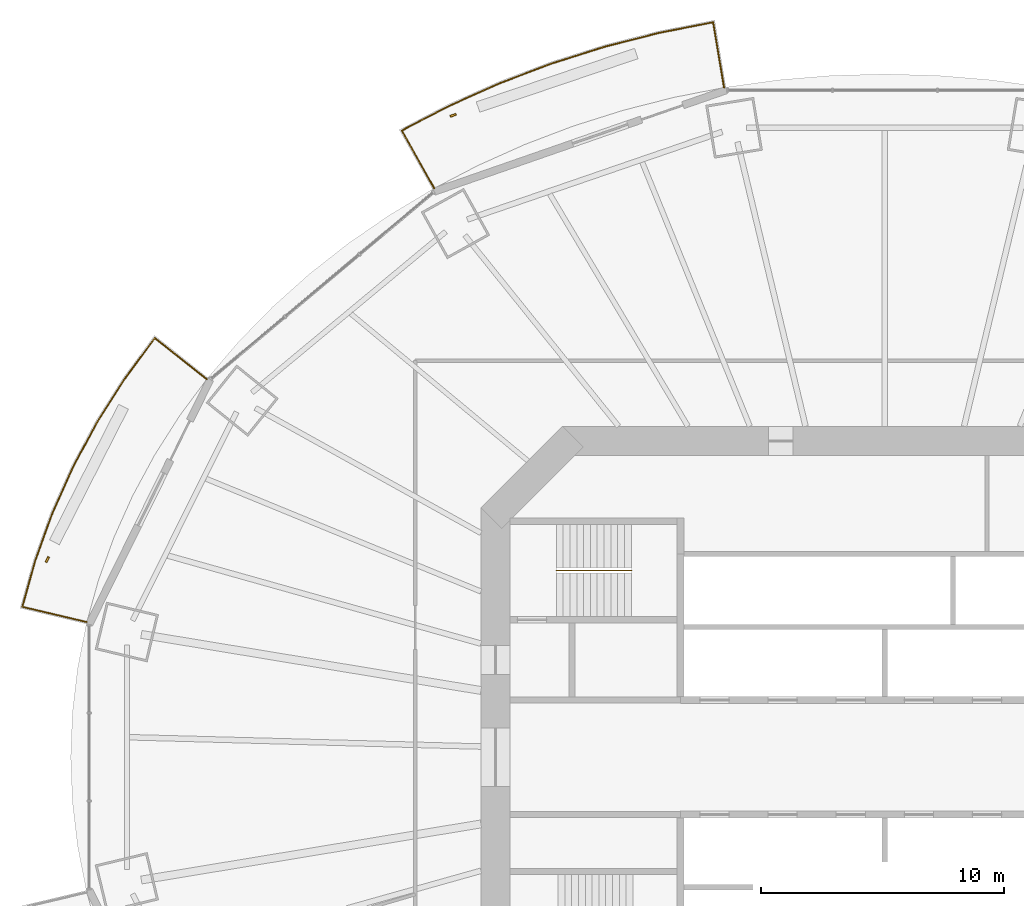
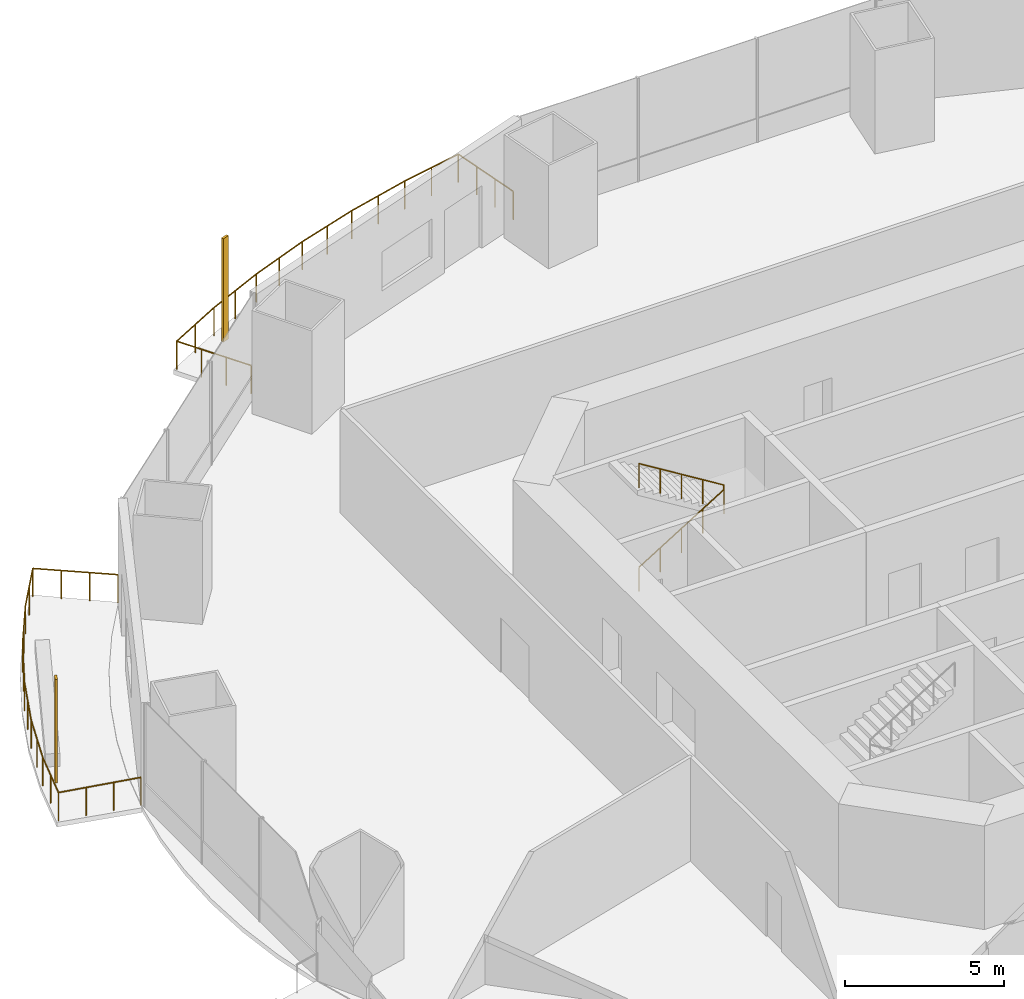
# One storey, part 18 of 20: 3 railings, 2 shading devices.
"""IFC4 building model written with IfcOpenShell, lengths in metres."""

from ifc_helpers import new_model, si_unit, direction, frame, origin, origin_2d, place, context, subcontext, project, spatial, rectangle, circle, extrude, material, material_profile, profile_set, type_object, element, save


model = new_model("IFC4")

# Units and contexts
model_context = context("Model", 3, precision=1e-05, world=origin(), true_north=direction((0.0, 1.0)))
body_context = subcontext(model_context, "Body", "Model", "MODEL_VIEW")
ifc_project = project(units=[si_unit("LENGTHUNIT", "METRE"), si_unit("AREAUNIT", "SQUARE_METRE"), si_unit("VOLUMEUNIT", "CUBIC_METRE"), si_unit("PLANEANGLEUNIT", "RADIAN"), si_unit("MASSUNIT", "GRAM", prefix="KILO")], contexts=[model_context])

# Site, building, storey
site_placement = place(None, origin())
site = spatial("IfcSite", under=ifc_project, at=site_placement, CompositionType="ELEMENT")
building_placement = place(site_placement, origin())
building = spatial("IfcBuilding", under=site, at=building_placement, Name="Marenthal Gate Tower", CompositionType="ELEMENT")
storey_placement = place(building_placement, frame((0.0, 0.0, 132.60009765625)))
storey = spatial("IfcBuildingStorey", under=building, at=storey_placement, Name="L28", CompositionType="ELEMENT", Elevation=132.60009765625)

# Railings
ifc_material_1 = material(Name="Stainless steel", Category="steel")
railing_type_1 = type_object("IfcRailingType", Name="Balcony guard 1100", PredefinedType="GUARDRAIL", material=ifc_material_1)
railing_1_placement = place(storey_placement, frame((-18.520751953125, 23.38427734375, 0.0)))
element("IfcRailing", 1, at=railing_1_placement, inside=storey, type_object=railing_type_1, Name="Balcony guard L28 bay 5", PredefinedType="GUARDRAIL", context=body_context, shape_type="SweptSolid", body=[
    extrude(circle(Radius=0.02392578125, at=origin_2d()), frame((0.0, 0.0, 1.076171875), z_axis=(-0.489304532784, 0.871988782196, -0.014718624977), x_axis=(-0.872083250464, -0.489357542356, 0.0)), (0.0, 0.0, 1.0), 2.72021484375),
    extrude(circle(Radius=0.02392578125, at=origin_2d()), frame((-1.3310546875, 2.3720703125, 1.0361328125), z_axis=(0.887053580422, 0.461666487261, 0.0), x_axis=(-0.461666487261, 0.887053580422, 0.0)), (0.0, 0.0, 1.0), 2.180419921875),
    extrude(circle(Radius=0.02392578125, at=origin_2d()), frame((0.60302734375, 3.378662109375, 1.0361328125), z_axis=(0.912426484208, 0.409240651591, 0.0), x_axis=(-0.409240651591, 0.912426484208, 0.0)), (0.0, 0.0, 1.0), 2.276611328125),
    extrude(circle(Radius=0.02392578125, at=origin_2d()), frame((2.68017578125, 4.310302734375, 1.0361328125), z_axis=(0.934725540452, 0.355370460261, 0.0), x_axis=(-0.355370460261, 0.934725540452, 0.0)), (0.0, 0.0, 1.0), 2.291259765625),
    extrude(circle(Radius=0.02392578125, at=origin_2d()), frame((4.82177734375, 5.12451171875, 1.0361328125), z_axis=(0.953555439672, 0.301217568332, 0.0), x_axis=(-0.301217568332, 0.953555439672, 0.0)), (0.0, 0.0, 1.0), 2.30419921875),
    extrude(circle(Radius=0.02392578125, at=origin_2d()), frame((7.01904296875, 5.818603515625, 1.0361328125), z_axis=(0.969110463154, 0.246627067057, 0.0), x_axis=(-0.246627067057, 0.969110463154, 0.0)), (0.0, 0.0, 1.0), 2.3154296875),
    extrude(circle(Radius=0.02392578125, at=origin_2d()), frame((9.262939453125, 6.3896484375, 1.0361328125), z_axis=(0.981190742026, 0.193040741199, 0.0), x_axis=(-0.193040741199, 0.981190742026, 0.0)), (0.0, 0.0, 1.0), 2.244873046875),
    extrude(circle(Radius=0.02392578125, at=origin_2d()), frame((11.465576171875, 6.822998046875, 1.0361328125), z_axis=(0.164774109377, -0.986221507592, 0.014718384498), x_axis=(0.986328347949, 0.164791959854, 0.0)), (0.0, 0.0, 1.0), 2.720458984375),
    extrude(circle(Radius=0.02099609375, at=origin_2d()), origin(), (0.0, 0.0, 1.0), 1.052001953125),
    extrude(circle(Radius=0.02099609375, at=origin_2d()), frame((-0.443603515625, 0.790771484375, -0.013427734375)), (0.0, 0.0, 1.0), 1.052001953125),
    extrude(circle(Radius=0.02099609375, at=origin_2d()), frame((-0.887451171875, 1.581298828125, -0.026611328125)), (0.0, 0.0, 1.0), 1.052001953125),
    extrude(circle(Radius=0.02099609375, at=origin_2d()), frame((-1.3310546875, 2.3720703125, -0.0400390625)), (0.0, 0.0, 1.0), 1.052001953125),
    extrude(circle(Radius=0.02099609375, at=origin_2d()), frame((-0.364013671875, 2.87548828125, -0.0400390625)), (0.0, 0.0, 1.0), 1.052001953125),
    extrude(circle(Radius=0.02099609375, at=origin_2d()), frame((0.60302734375, 3.378662109375, -0.0400390625)), (0.0, 0.0, 1.0), 1.052001953125),
    extrude(circle(Radius=0.02099609375, at=origin_2d()), frame((1.6416015625, 3.844482421875, -0.0400390625)), (0.0, 0.0, 1.0), 1.052001953125),
    extrude(circle(Radius=0.02099609375, at=origin_2d()), frame((2.68017578125, 4.310302734375, -0.0400390625)), (0.0, 0.0, 1.0), 1.052001953125),
    extrude(circle(Radius=0.02099609375, at=origin_2d()), frame((3.7509765625, 4.71728515625, -0.0400390625)), (0.0, 0.0, 1.0), 1.052001953125),
    extrude(circle(Radius=0.02099609375, at=origin_2d()), frame((4.82177734375, 5.12451171875, -0.0400390625)), (0.0, 0.0, 1.0), 1.052001953125),
    extrude(circle(Radius=0.02099609375, at=origin_2d()), frame((5.92041015625, 5.4716796875, -0.0400390625)), (0.0, 0.0, 1.0), 1.052001953125),
    extrude(circle(Radius=0.02099609375, at=origin_2d()), frame((7.01904296875, 5.818603515625, -0.0400390625)), (0.0, 0.0, 1.0), 1.052001953125),
    extrude(circle(Radius=0.02099609375, at=origin_2d()), frame((8.14111328125, 6.10400390625, -0.0400390625)), (0.0, 0.0, 1.0), 1.052001953125),
    extrude(circle(Radius=0.02099609375, at=origin_2d()), frame((9.262939453125, 6.3896484375, -0.0400390625)), (0.0, 0.0, 1.0), 1.052001953125),
    extrude(circle(Radius=0.02099609375, at=origin_2d()), frame((10.3642578125, 6.6064453125, -0.0400390625)), (0.0, 0.0, 1.0), 1.052001953125),
    extrude(circle(Radius=0.02099609375, at=origin_2d()), frame((11.465576171875, 6.822998046875, -0.0400390625)), (0.0, 0.0, 1.0), 1.052001953125),
    extrude(circle(Radius=0.02099609375, at=origin_2d()), frame((11.614990234375, 5.9287109375, -0.026611328125)), (0.0, 0.0, 1.0), 1.052001953125),
    extrude(circle(Radius=0.02099609375, at=origin_2d()), frame((11.764404296875, 5.034423828125, -0.013427734375)), (0.0, 0.0, 1.0), 1.052001953125),
    extrude(circle(Radius=0.02099609375, at=origin_2d()), frame((11.913818359375, 4.14013671875, 0.0)), (0.0, 0.0, 1.0), 1.052001953125),
])
railing_2_placement = place(storey_placement, frame((-32.800537109375, 5.555419921875, 0.0)))
element("IfcRailing", 2, at=railing_2_placement, inside=storey, type_object=railing_type_1, Name="Balcony guard L28 bay 7", PredefinedType="GUARDRAIL", context=body_context, shape_type="SweptSolid", body=[
    extrude(circle(Radius=0.02392578125, at=origin_2d()), frame((0.0, 0.0, 1.076171875), z_axis=(-0.972966930586, 0.230474963356, -0.014718806071), x_axis=(-0.230499932836, -0.973072341074, 0.0)), (0.0, 0.0, 1.0), 2.72021484375),
    extrude(circle(Radius=0.02392578125, at=origin_2d()), frame((-2.646728515625, 0.626953125, 1.0361328125), z_axis=(0.269159912303, 0.963095499735, 0.0), x_axis=(-0.963095499735, 0.269159912303, 0.0)), (0.0, 0.0, 1.0), 1.984619140625),
    extrude(circle(Radius=0.02392578125, at=origin_2d()), frame((-2.112548828125, 2.538330078125, 1.0361328125), z_axis=(0.339927901039, 0.940451499066, 0.0), x_axis=(-0.940451499066, 0.339927901039, 0.0)), (0.0, 0.0, 1.0), 2.07421875),
    extrude(circle(Radius=0.02392578125, at=origin_2d()), frame((-1.407470703125, 4.489013671875, 1.0361328125), z_axis=(0.409274320643, 0.912411382252, 0.0), x_axis=(-0.912411382252, 0.409274320643, 0.0)), (0.0, 0.0, 1.0), 2.0859375),
    extrude(circle(Radius=0.02392578125, at=origin_2d()), frame((-0.5537109375, 6.392333984375, 1.0361328125), z_axis=(0.475084098287, 0.879940395456, 0.0), x_axis=(-0.879940395456, 0.475084098287, 0.0)), (0.0, 0.0, 1.0), 2.099853515625),
    extrude(circle(Radius=0.02392578125, at=origin_2d()), frame((0.44384765625, 8.239990234375, 1.0361328125), z_axis=(0.537211554798, 0.843447535649, 0.0), x_axis=(-0.843447535649, 0.537211554798, 0.0)), (0.0, 0.0, 1.0), 2.114990234375),
    extrude(circle(Radius=0.02392578125, at=origin_2d()), frame((1.580078125, 10.02392578125, 1.0361328125), z_axis=(0.594330839548, 0.80422064955, 0.0), x_axis=(-0.80422064955, 0.594330839548, 0.0)), (0.0, 0.0, 1.0), 2.0517578125),
    extrude(circle(Radius=0.02392578125, at=origin_2d()), frame((2.799560546875, 11.674072265625, 1.0361328125), z_axis=(0.782497400994, -0.622479868482, 0.014718382127), x_axis=(0.622547303586, 0.782582171275, 0.0)), (0.0, 0.0, 1.0), 2.720458984375),
    extrude(circle(Radius=0.02099609375, at=origin_2d()), origin(), (0.0, 0.0, 1.0), 1.052001953125),
    extrude(circle(Radius=0.02099609375, at=origin_2d()), frame((-0.88232421875, 0.208984375, -0.013427734375)), (0.0, 0.0, 1.0), 1.052001953125),
    extrude(circle(Radius=0.02099609375, at=origin_2d()), frame((-1.764404296875, 0.41796875, -0.026611328125)), (0.0, 0.0, 1.0), 1.052001953125),
    extrude(circle(Radius=0.02099609375, at=origin_2d()), frame((-2.646728515625, 0.626953125, -0.0400390625)), (0.0, 0.0, 1.0), 1.052001953125),
    extrude(circle(Radius=0.02099609375, at=origin_2d()), frame((-2.379638671875, 1.58251953125, -0.0400390625)), (0.0, 0.0, 1.0), 1.052001953125),
    extrude(circle(Radius=0.02099609375, at=origin_2d()), frame((-2.112548828125, 2.538330078125, -0.0400390625)), (0.0, 0.0, 1.0), 1.052001953125),
    extrude(circle(Radius=0.02099609375, at=origin_2d()), frame((-1.760009765625, 3.513671875, -0.0400390625)), (0.0, 0.0, 1.0), 1.052001953125),
    extrude(circle(Radius=0.02099609375, at=origin_2d()), frame((-1.407470703125, 4.489013671875, -0.0400390625)), (0.0, 0.0, 1.0), 1.052001953125),
    extrude(circle(Radius=0.02099609375, at=origin_2d()), frame((-0.98046875, 5.440673828125, -0.0400390625)), (0.0, 0.0, 1.0), 1.052001953125),
    extrude(circle(Radius=0.02099609375, at=origin_2d()), frame((-0.5537109375, 6.392333984375, -0.0400390625)), (0.0, 0.0, 1.0), 1.052001953125),
    extrude(circle(Radius=0.02099609375, at=origin_2d()), frame((-0.054931640625, 7.316162109375, -0.0400390625)), (0.0, 0.0, 1.0), 1.052001953125),
    extrude(circle(Radius=0.02099609375, at=origin_2d()), frame((0.44384765625, 8.239990234375, -0.0400390625)), (0.0, 0.0, 1.0), 1.052001953125),
    extrude(circle(Radius=0.02099609375, at=origin_2d()), frame((1.011962890625, 9.1318359375, -0.0400390625)), (0.0, 0.0, 1.0), 1.052001953125),
    extrude(circle(Radius=0.02099609375, at=origin_2d()), frame((1.580078125, 10.02392578125, -0.0400390625)), (0.0, 0.0, 1.0), 1.052001953125),
    extrude(circle(Radius=0.02099609375, at=origin_2d()), frame((2.18994140625, 10.84912109375, -0.0400390625)), (0.0, 0.0, 1.0), 1.052001953125),
    extrude(circle(Radius=0.02099609375, at=origin_2d()), frame((2.799560546875, 11.674072265625, -0.0400390625)), (0.0, 0.0, 1.0), 1.052001953125),
    extrude(circle(Radius=0.02099609375, at=origin_2d()), frame((3.509033203125, 11.109619140625, -0.026611328125)), (0.0, 0.0, 1.0), 1.052001953125),
    extrude(circle(Radius=0.02099609375, at=origin_2d()), frame((4.21875, 10.545166015625, -0.013427734375)), (0.0, 0.0, 1.0), 1.052001953125),
    extrude(circle(Radius=0.02099609375, at=origin_2d()), frame((4.92822265625, 9.980712890625, 0.0)), (0.0, 0.0, 1.0), 1.052001953125),
])
ifc_material_2 = material(Name="Stainless steel", Category="steel")
railing_type_2 = type_object("IfcRailingType", Name="Stair handrail", PredefinedType="HANDRAIL", material=ifc_material_2)
railing_3_placement = place(storey_placement, frame((-13.5, 7.675048828125, 0.1728515625)))
element("IfcRailing", 3, at=railing_3_placement, inside=storey, type_object=railing_type_2, Name="Handrail ST1", PredefinedType="HANDRAIL", context=body_context, shape_type="SweptSolid", body=[
    extrude(circle(Radius=0.0224609375, at=origin_2d()), frame((0.0, 0.0, 0.927490234375), z_axis=(0.850835241893, 0.0, 0.525432575268), x_axis=(0.0, 1.0, 0.0)), (0.0, 0.0, 1.0), 3.6201171875),
    extrude(circle(Radius=0.0224609375, at=origin_2d()), frame((3.080078125, 0.0, 2.82958984375), z_axis=(0.0, 0.0, 1.0), x_axis=(1.0, 0.0, 0.0)), (0.0, 0.0, 1.0), 0.1728515625),
    extrude(circle(Radius=0.0224609375, at=origin_2d()), frame((3.080078125, 0.0, 3.00244140625), z_axis=(-0.850835241893, 0.0, 0.525432575268), x_axis=(0.0, -1.0, 0.0)), (0.0, 0.0, 1.0), 3.6201171875),
    extrude(circle(Radius=0.02001953125, at=origin_2d()), origin(), (0.0, 0.0, 1.0), 0.905029296875),
    extrude(circle(Radius=0.02001953125, at=origin_2d()), frame((0.77001953125, 0.0, 0.4755859375)), (0.0, 0.0, 1.0), 0.905029296875),
    extrude(circle(Radius=0.02001953125, at=origin_2d()), frame((1.5400390625, 0.0, 0.951171875)), (0.0, 0.0, 1.0), 0.905029296875),
    extrude(circle(Radius=0.02001953125, at=origin_2d()), frame((2.31005859375, 0.0, 1.426513671875)), (0.0, 0.0, 1.0), 0.905029296875),
    extrude(circle(Radius=0.02001953125, at=origin_2d()), frame((3.080078125, 0.0, 1.902099609375)), (0.0, 0.0, 1.0), 0.905029296875),
    extrude(circle(Radius=0.02001953125, at=origin_2d()), frame((3.080078125, 0.0, 2.074951171875)), (0.0, 0.0, 1.0), 0.905029296875),
    extrude(circle(Radius=0.02001953125, at=origin_2d()), frame((2.31005859375, 0.0, 2.550537109375)), (0.0, 0.0, 1.0), 0.905029296875),
    extrude(circle(Radius=0.02001953125, at=origin_2d()), frame((1.5400390625, 0.0, 3.02587890625)), (0.0, 0.0, 1.0), 0.905029296875),
    extrude(circle(Radius=0.02001953125, at=origin_2d()), frame((0.77001953125, 0.0, 3.50146484375)), (0.0, 0.0, 1.0), 0.905029296875),
    extrude(circle(Radius=0.02001953125, at=origin_2d()), frame((0.0, 0.0, 3.97705078125)), (0.0, 0.0, 1.0), 0.905029296875),
])

# Shading devices
ifc_material_3 = material(Name="Terracotta", Category="masonry")
ifc_material_profile = material_profile(ifc_material_3, rectangle(XDim=0.25, YDim=0.080078125, at=origin_2d()), Name="Terracotta baguette 250x80")
ifc_profile_set = profile_set([ifc_material_profile], Name="Terracotta")
shading_device_type = type_object("IfcShadingDeviceType", Name="Terracotta BAGUETTE SCREEN 250x80", PredefinedType="USERDEFINED", material=ifc_profile_set)
for number, where, z_axis, x_axis, name in (
    (4, (-17.740478515625, 26.37939453125, -0.0400390625), (0.0, 0.0, 1.0), (-0.944551667682, -0.328362828405, 0.0), "Terracotta BAGUETTE L28 bay 5R"),
    (5, (-34.416748046875, 8.12548828125, -0.0400390625), (0.0, 0.0, 1.0), (-0.442571643987, -0.896733148678, 0.0), "Terracotta BAGUETTE L28 bay 7R"),
):
    element("IfcShadingDevice", number, at=place(storey_placement, frame(where, z_axis=z_axis, x_axis=x_axis)), inside=storey, type_object=shading_device_type, Name=name, ObjectType="BAGUETTE SCREEN", PredefinedType="USERDEFINED", context=body_context, shape_type="SweptSolid", body=[
        extrude(rectangle(XDim=0.25, YDim=0.080078125, at=origin_2d()), origin(), (0.0, 0.0, 1.0), 3.969970703125),
    ])

save(model, "model.ifc")
